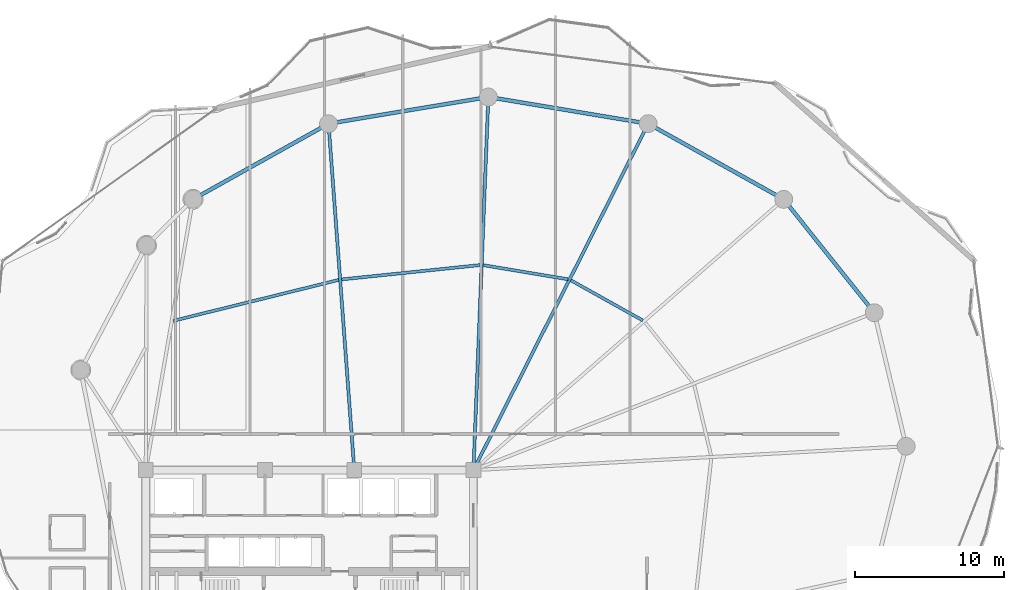
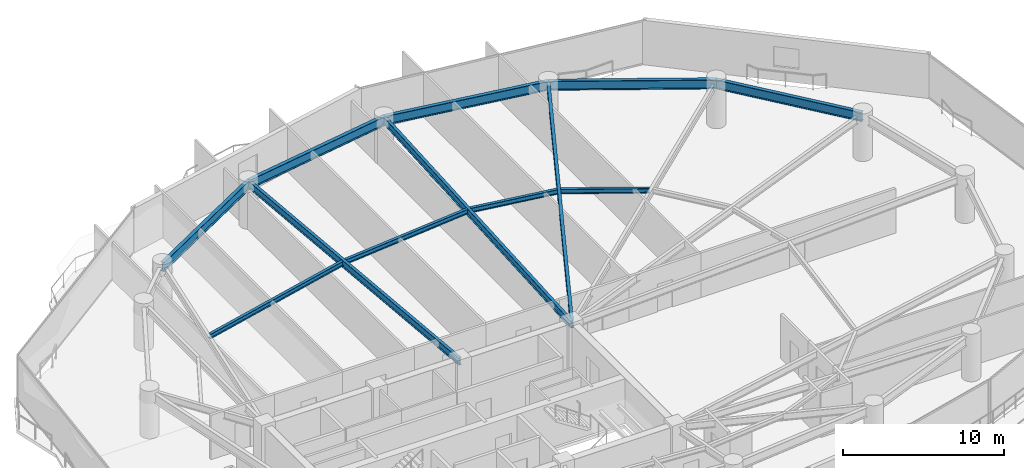
# One storey, part 20 of 33: 12 beams.
"""IFC4 building model written with IfcOpenShell, lengths in metres."""

from ifc_helpers import new_model, si_unit, direction, frame, origin, origin_2d, place, context, subcontext, project, spatial, i_section, extrude, material, material_profile, profile_set, type_object, element, save


model = new_model("IFC4")

# Units and contexts
model_context = context("Model", 3, precision=1e-05, world=origin(), true_north=direction((0.0, 1.0)))
body_context = subcontext(model_context, "Body", "Model", "MODEL_VIEW")
ifc_project = project(units=[si_unit("LENGTHUNIT", "METRE"), si_unit("AREAUNIT", "SQUARE_METRE"), si_unit("VOLUMEUNIT", "CUBIC_METRE"), si_unit("PLANEANGLEUNIT", "RADIAN"), si_unit("MASSUNIT", "GRAM", prefix="KILO")], contexts=[model_context])

# Site, building, storey
site_placement = place(None, origin())
site = spatial("IfcSite", under=ifc_project, at=site_placement, CompositionType="ELEMENT")
building_placement = place(site_placement, origin())
building = spatial("IfcBuilding", under=site, at=building_placement, Name="Kazevale Care Tower and Concert Hall", CompositionType="ELEMENT")
storey_placement = place(building_placement, frame((0.0, 0.0, 153.0)))
storey = spatial("IfcBuildingStorey", under=building, at=storey_placement, Name="L40", CompositionType="ELEMENT", Elevation=153.0)

# Beams
ifc_material = material(Name="Steel ASTM A572 Gr 50", Category="steel")
ifc_material_profile_1 = material_profile(ifc_material, i_section(OverallWidth=0.2119140625, OverallDepth=0.5439453125, WebThickness=0.01318359375, FlangeThickness=0.021240234375, at=origin_2d()), Name="W530x123")
ifc_profile_set_1 = profile_set([ifc_material_profile_1], Name="Steel ASTM A572 Gr 50")
beam_type_1 = type_object("IfcBeamType", Name="Radial Floor Girder W530x123", PredefinedType="BEAM", material=ifc_profile_set_1)
beam_1_placement = place(storey_placement, frame((44.0, 36.39990234375, 3.087890625), z_axis=(0.450281187568, 0.892886808124, 0.0), x_axis=(-0.892886808124, 0.450281187568, 0.0)))
element("IfcBeam", 1, at=beam_1_placement, inside=storey, type_object=beam_type_1, Name="beam:L40:rad:04", PredefinedType="BEAM", context=body_context, shape_type="SweptSolid", body=[
    extrude(i_section(OverallWidth=0.2119140625, OverallDepth=0.5439453125, WebThickness=0.01318359375, FlangeThickness=0.021240234375, at=origin_2d()), origin(), (0.0, 0.0, 1.0), 26.05029296875),
])
beam_2_placement = place(storey_placement, frame((44.0, 36.39990234375, 3.087890625), z_axis=(0.039888311255, 0.99920414462, 0.0), x_axis=(-0.99920414462, 0.039888311255, 0.0)))
element("IfcBeam", 2, at=beam_2_placement, inside=storey, type_object=beam_type_1, Name="beam:L40:rad:05", PredefinedType="BEAM", context=body_context, shape_type="SweptSolid", body=[
    extrude(i_section(OverallWidth=0.2119140625, OverallDepth=0.5439453125, WebThickness=0.01318359375, FlangeThickness=0.021240234375, at=origin_2d()), origin(), (0.0, 0.0, 1.0), 25.070068359375),
])
beam_3_placement = place(storey_placement, frame((36.0, 36.39990234375, 3.087890625), z_axis=(-0.074170876808, 0.997245547011, 0.0), x_axis=(-0.997245547011, -0.074170876808, 0.0)))
element("IfcBeam", 3, at=beam_3_placement, inside=storey, type_object=beam_type_1, Name="beam:L40:rad:06", PredefinedType="BEAM", context=body_context, shape_type="SweptSolid", body=[
    extrude(i_section(OverallWidth=0.2119140625, OverallDepth=0.5439453125, WebThickness=0.01318359375, FlangeThickness=0.021240234375, at=origin_2d()), origin(), (0.0, 0.0, 1.0), 23.32421875),
])
ifc_material_profile_2 = material_profile(ifc_material, i_section(OverallWidth=0.205078125, OverallDepth=0.35400390625, WebThickness=0.009521484375, FlangeThickness=0.016845703125, at=origin_2d()), Name="W360x79")
ifc_profile_set_2 = profile_set([ifc_material_profile_2], Name="Steel ASTM A572 Gr 50")
beam_type_2 = type_object("IfcBeamType", Name="Secondary Floor Joist W360x79", PredefinedType="JOIST", material=ifc_profile_set_2)
beam_4_placement = place(storey_placement, frame((55.364990234375, 46.449951171875, 3.18310546875), z_axis=(-0.873137755824, 0.487473547338, 0.0), x_axis=(-0.487473547338, -0.873137755824, 0.0)))
element("IfcBeam", 4, at=beam_4_placement, inside=storey, type_object=beam_type_2, Name="beam:L40:joist:03", PredefinedType="JOIST", context=body_context, shape_type="SweptSolid", body=[
    extrude(i_section(OverallWidth=0.205078125, OverallDepth=0.35400390625, WebThickness=0.009521484375, FlangeThickness=0.016845703125, at=origin_2d()), origin(), (0.0, 0.0, 1.0), 5.522705078125),
])
beam_5_placement = place(storey_placement, frame((50.347900390625, 49.2099609375, 3.18310546875), z_axis=(-0.986366476547, 0.164563586324, 0.0), x_axis=(-0.164563586324, -0.986366476547, 0.0)))
element("IfcBeam", 5, at=beam_5_placement, inside=storey, type_object=beam_type_2, Name="beam:L40:joist:04", PredefinedType="JOIST", context=body_context, shape_type="SweptSolid", body=[
    extrude(i_section(OverallWidth=0.205078125, OverallDepth=0.35400390625, WebThickness=0.009521484375, FlangeThickness=0.016845703125, at=origin_2d()), origin(), (0.0, 0.0, 1.0), 5.7724609375),
])
beam_6_placement = place(storey_placement, frame((44.446044921875, 50.1669921875, 3.18310546875), z_axis=(-0.994674810104, -0.10306319491, 0.0), x_axis=(0.10306319491, -0.994674810104, 0.0)))
element("IfcBeam", 6, at=beam_6_placement, inside=storey, type_object=beam_type_2, Name="beam:L40:joist:05", PredefinedType="JOIST", context=body_context, shape_type="SweptSolid", body=[
    extrude(i_section(OverallWidth=0.205078125, OverallDepth=0.35400390625, WebThickness=0.009521484375, FlangeThickness=0.016845703125, at=origin_2d()), origin(), (0.0, 0.0, 1.0), 9.3427734375),
])
beam_7_placement = place(storey_placement, frame((34.947021484375, 49.16796875, 3.18310546875), z_axis=(-0.970789504014, -0.239932779954, 0.0), x_axis=(0.239932779954, -0.970789504014, 0.0)))
element("IfcBeam", 7, at=beam_7_placement, inside=storey, type_object=beam_type_2, Name="beam:L40:joist:06", PredefinedType="JOIST", context=body_context, shape_type="SweptSolid", body=[
    extrude(i_section(OverallWidth=0.205078125, OverallDepth=0.35400390625, WebThickness=0.009521484375, FlangeThickness=0.016845703125, at=origin_2d()), origin(), (0.0, 0.0, 1.0), 11.43603515625),
])
ifc_material_profile_3 = material_profile(ifc_material, i_section(OverallWidth=0.256103515625, OverallDepth=0.693115234375, WebThickness=0.014404296875, FlangeThickness=0.023681640625, at=origin_2d()), Name="W690x170")
ifc_profile_set_3 = profile_set([ifc_material_profile_3], Name="Steel ASTM A572 Gr 50")
beam_type_3 = type_object("IfcBeamType", Name="Waist Ring Beam W690x170", PredefinedType="BEAM", material=ifc_profile_set_3)
beam_8_placement = place(storey_placement, frame((70.909912109375, 46.969970703125, 3.013427734375), z_axis=(-0.624178340034, 0.781281895242, 0.0), x_axis=(-0.781281895242, -0.624178340034, 0.0)))
element("IfcBeam", 8, at=beam_8_placement, inside=storey, type_object=beam_type_3, Name="beam:L40:ring:02", PredefinedType="BEAM", context=body_context, shape_type="SweptSolid", body=[
    extrude(i_section(OverallWidth=0.256103515625, OverallDepth=0.693115234375, WebThickness=0.014404296875, FlangeThickness=0.023681640625, at=origin_2d()), origin(), (0.0, 0.0, 1.0), 9.740478515625),
])
beam_9_placement = place(storey_placement, frame((64.830078125, 54.580078125, 3.013427734375), z_axis=(-0.873168720251, 0.487418081297, 0.0), x_axis=(-0.487418081297, -0.873168720251, 0.0)))
element("IfcBeam", 9, at=beam_9_placement, inside=storey, type_object=beam_type_3, Name="beam:L40:ring:03", PredefinedType="BEAM", context=body_context, shape_type="SweptSolid", body=[
    extrude(i_section(OverallWidth=0.256103515625, OverallDepth=0.693115234375, WebThickness=0.014404296875, FlangeThickness=0.023681640625, at=origin_2d()), origin(), (0.0, 0.0, 1.0), 10.421875),
])
for number, where, z_axis, x_axis, name in (
    (10, (55.72998046875, 59.659912109375, 3.013427734375), (-0.986368436187, 0.164551840139, 0.0), (-0.164551840139, -0.986368436187, 0.0), "beam:L40:ring:04"),
    (11, (45.0, 61.449951171875, 3.013427734375), (-0.986368436187, -0.164551840139, 0.0), (0.164551840139, -0.986368436187, 0.0), "beam:L40:ring:05"),
):
    element("IfcBeam", number, at=place(storey_placement, frame(where, z_axis=z_axis, x_axis=x_axis)), inside=storey, type_object=beam_type_3, Name=name, PredefinedType="BEAM", context=body_context, shape_type="SweptSolid", body=[
        extrude(i_section(OverallWidth=0.256103515625, OverallDepth=0.693115234375, WebThickness=0.014404296875, FlangeThickness=0.023681640625, at=origin_2d()), origin(), (0.0, 0.0, 1.0), 10.878173828125),
    ])
beam_10_placement = place(storey_placement, frame((34.27001953125, 59.659912109375, 3.013427734375), z_axis=(-0.873168720251, -0.487418081297, 0.0), x_axis=(0.487418081297, -0.873168720251, 0.0)))
element("IfcBeam", 12, at=beam_10_placement, inside=storey, type_object=beam_type_3, Name="beam:L40:ring:06", PredefinedType="BEAM", context=body_context, shape_type="SweptSolid", body=[
    extrude(i_section(OverallWidth=0.256103515625, OverallDepth=0.693115234375, WebThickness=0.014404296875, FlangeThickness=0.023681640625, at=origin_2d()), origin(), (0.0, 0.0, 1.0), 10.421875),
])

save(model, "model.ifc")
